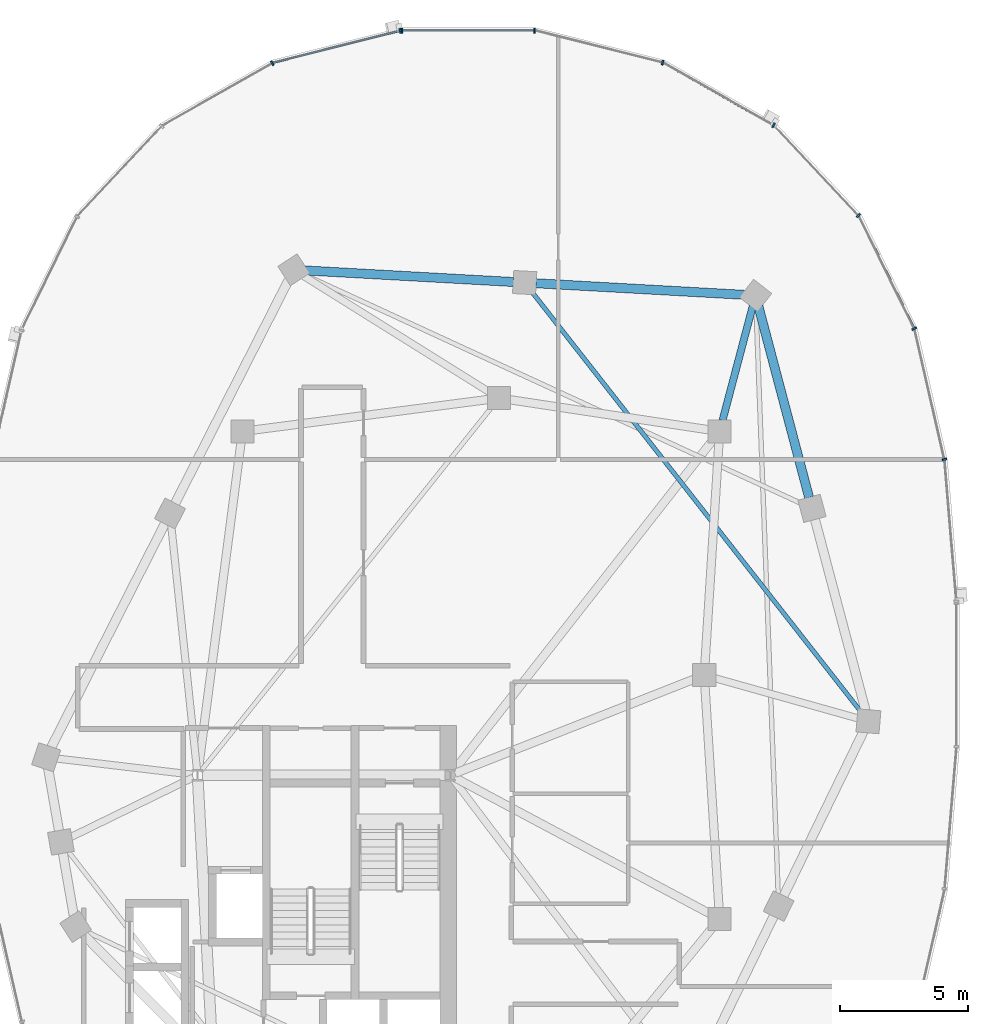
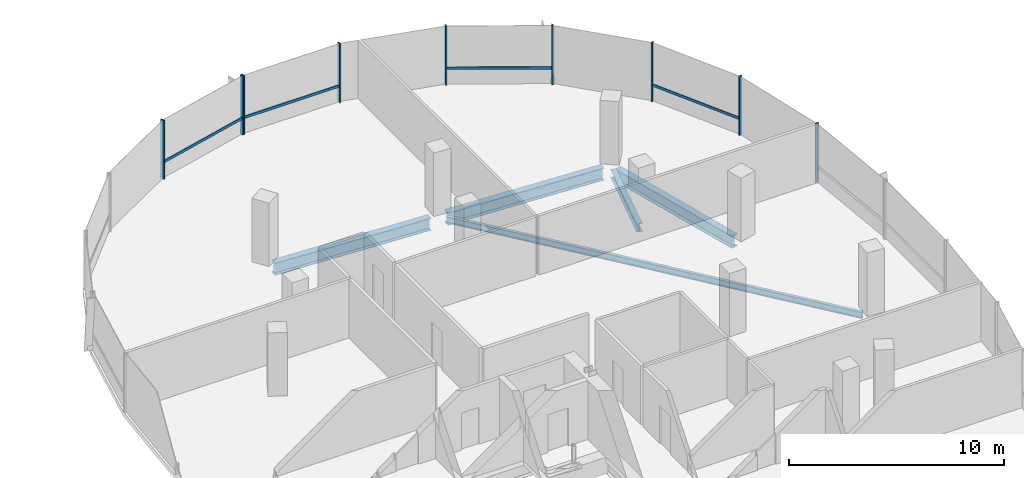
# One storey, part 12 of 25: 13 members, 5 beams, 2 elements without a shape of their own.
"""IFC4 building model written with IfcOpenShell, lengths in metres."""

from ifc_helpers import new_model, si_unit, direction, frame, origin, origin_2d, place, context, subcontext, project, spatial, rectangle, i_section, extrude, material, material_profile, profile_set, type_object, element, aggregate, save


model = new_model("IFC4")

# Units and contexts
model_context = context("Model", 3, precision=1e-05, world=origin(), true_north=direction((0.0, 1.0)))
body_context = subcontext(model_context, "Body", "Model", "MODEL_VIEW")
ifc_project = project(units=[si_unit("LENGTHUNIT", "METRE"), si_unit("AREAUNIT", "SQUARE_METRE"), si_unit("VOLUMEUNIT", "CUBIC_METRE"), si_unit("PLANEANGLEUNIT", "RADIAN"), si_unit("MASSUNIT", "GRAM", prefix="KILO"), si_unit("THERMODYNAMICTEMPERATUREUNIT", "KELVIN"), si_unit("POWERUNIT", "WATT")], contexts=[model_context])

# Site, building, storey
site_placement = place(None, origin())
site = spatial("IfcSite", under=ifc_project, at=site_placement, CompositionType="ELEMENT")
building_placement = place(site_placement, origin())
building = spatial("IfcBuilding", under=site, at=building_placement, Name="Cundina Bronze Exchange", CompositionType="ELEMENT")
storey_placement = place(building_placement, frame((0.0, 0.0, 209.800048828125)))
storey = spatial("IfcBuildingStorey", under=building, at=storey_placement, Name="L55", CompositionType="ELEMENT", Elevation=209.800048828125)

# Beams
ifc_material_1 = material(Name="Steel ASTM A992 Grade 50", Category="steel")
ifc_material_profile_1 = material_profile(ifc_material_1, i_section(OverallWidth=0.280029296875, OverallDepth=0.462890625, WebThickness=0.0107421875, FlangeThickness=0.017333984375, FilletRadius=0.011962890625, at=origin_2d()), Name="W18X76", Category="steel")
ifc_profile_set_1 = profile_set([ifc_material_profile_1], Name="Steel ASTM A992 Grade 50")
beam_type_1 = type_object("IfcBeamType", Name="BM-FLR-W18A", PredefinedType="BEAM", material=ifc_profile_set_1)
beam_1_placement = place(storey_placement, frame((41.911865234375, 9.923583984375, -0.491455078125), z_axis=(0.255398602339, 0.96683584642, 0.0), x_axis=(-0.96683584642, 0.255398602339, 0.0)))
element("IfcBeam", 1, at=beam_1_placement, inside=storey, type_object=beam_type_1, Name="L55 Leg E Chordal Floor Beam 10", PredefinedType="BEAM", context=body_context, shape_type="SweptSolid", body=[
    extrude(i_section(OverallWidth=0.280029296875, OverallDepth=0.462890625, WebThickness=0.0107421875, FlangeThickness=0.017333984375, FilletRadius=0.011962890625, at=origin_2d()), origin(), (0.0, 0.0, 1.0), 4.605712890625),
])
ifc_material_profile_2 = material_profile(ifc_material_1, i_section(OverallWidth=0.172119140625, OverallDepth=0.35791015625, WebThickness=0.0078125, FlangeThickness=0.01318359375, FilletRadius=0.010009765625, at=origin_2d()), Name="W14X38", Category="steel")
ifc_profile_set_2 = profile_set([ifc_material_profile_2], Name="Steel ASTM A992 Grade 50")
beam_type_2 = type_object("IfcBeamType", Name="BM-JST-W14", PredefinedType="JOIST", material=ifc_profile_set_2)
beam_2_placement = place(storey_placement, frame((47.329833984375, -1.455078125, -0.43896484375), z_axis=(-0.616810493522, 0.787111691618, 0.0), x_axis=(-0.787111691618, -0.616810493522, 0.0)))
element("IfcBeam", 2, at=beam_2_placement, inside=storey, type_object=beam_type_2, Name="L55 Leg E Lobe Floor Joist 08-11", PredefinedType="JOIST", context=body_context, shape_type="SweptSolid", body=[
    extrude(i_section(OverallWidth=0.172119140625, OverallDepth=0.35791015625, WebThickness=0.0078125, FlangeThickness=0.01318359375, FilletRadius=0.010009765625, at=origin_2d()), origin(), (0.0, 0.0, 1.0), 20.8486328125),
])
ifc_material_profile_3 = material_profile(ifc_material_1, i_section(OverallWidth=0.35498046875, OverallDepth=0.695068359375, WebThickness=0.015380859375, FlangeThickness=0.02490234375, FilletRadius=0.01806640625, at=origin_2d()), Name="W27X146", Category="steel")
ifc_profile_set_3 = profile_set([ifc_material_profile_3], Name="Steel ASTM A992 Grade 50")
beam_type_3 = type_object("IfcBeamType", Name="BM-RING-W27", PredefinedType="USERDEFINED", material=ifc_profile_set_3)
beam_3_placement = place(storey_placement, frame((45.287841796875, 6.92333984375, -0.607666015625), z_axis=(-0.256211934474, 0.966620631185, 0.0), x_axis=(-0.966620631185, -0.256211934474, 0.0)))
element("IfcBeam", 3, at=beam_3_placement, inside=storey, type_object=beam_type_3, Name="L55 E Perimeter Ring Girder 09", ObjectType="GIRDER", PredefinedType="USERDEFINED", context=body_context, shape_type="SweptSolid", body=[
    extrude(i_section(OverallWidth=0.35498046875, OverallDepth=0.695068359375, WebThickness=0.015380859375, FlangeThickness=0.02490234375, FilletRadius=0.01806640625, at=origin_2d()), origin(), (0.0, 0.0, 1.0), 7.710693359375),
])
for number, where, z_axis, x_axis, name in (
    (4, (42.7626953125, 14.82421875, -0.607666015625), (-0.998460353205, 0.055470019623, 0.0), (-0.055470019623, -0.998460353205, 0.0), "L55 E Perimeter Ring Girder 10"),
    (5, (33.7626953125, 15.32421875, -0.607666015625), (-0.998460353205, 0.055470019623, 0.0), (-0.055470019623, -0.998460353205, 0.0), "L55 E Perimeter Ring Girder 11"),
):
    element("IfcBeam", number, at=place(storey_placement, frame(where, z_axis=z_axis, x_axis=x_axis)), inside=storey, type_object=beam_type_3, Name=name, ObjectType="GIRDER", PredefinedType="USERDEFINED", context=body_context, shape_type="SweptSolid", body=[
        extrude(i_section(OverallWidth=0.35498046875, OverallDepth=0.695068359375, WebThickness=0.015380859375, FlangeThickness=0.02490234375, FilletRadius=0.01806640625, at=origin_2d()), origin(), (0.0, 0.0, 1.0), 8.137939453125),
    ])

# Curtain wall, members
ifc_material_2 = material(Name="Anodised Bronze Aluminium 6063-T6", Category="aluminium")
curtain_wall_type = type_object("IfcCurtainWallType", Name="CWS-UPP-OFF", PredefinedType="NOTDEFINED", material=ifc_material_2)
curtain_wall_1_placement = place(storey_placement, origin())
curtain_wall_1 = element("IfcCurtainWall", 6, at=curtain_wall_1_placement, inside=storey, type_object=curtain_wall_type, Name="L55 CW-05 Curtain Wall Run CWR-L55-E1", PredefinedType="NOTDEFINED")
ifc_material_profile_4 = material_profile(ifc_material_2, rectangle(XDim=0.070068359375, YDim=0.18994140625, at=origin_2d()), Name="AL70X190", Category="aluminium")
ifc_profile_set_4 = profile_set([ifc_material_profile_4], Name="Anodised Bronze Aluminium 6063-T6")
member_type_1 = type_object("IfcMemberType", Name="CWM-MUL-190", PredefinedType="MULLION", material=ifc_profile_set_4)
member_1_placement = place(storey_placement, frame((50.56005859375, 8.4111328125, 0.0), z_axis=(0.0, 0.0, 1.0), x_axis=(-0.223250116011, 0.974761194191, 0.0)))
member_1 = element("IfcMember", 7, at=member_1_placement, type_object=member_type_1, Name="CW-05 Mullion 2", PredefinedType="MULLION", context=body_context, shape_type="SweptSolid", body=[
    extrude(rectangle(XDim=0.070068359375, YDim=0.18994140625, at=origin_2d()), origin(), (0.0, 0.0, 1.0), 3.33984375),
])
member_2_placement = place(storey_placement, frame((49.38427734375, 13.50732421875, 0.0), z_axis=(0.0, 0.0, 1.0), x_axis=(-0.440566004113, 0.897720221461, 0.0)))
member_2 = element("IfcMember", 8, at=member_2_placement, type_object=member_type_1, Name="CW-05 Mullion 3", PredefinedType="MULLION", context=body_context, shape_type="SweptSolid", body=[
    extrude(rectangle(XDim=0.070068359375, YDim=0.18994140625, at=origin_2d()), origin(), (0.0, 0.0, 1.0), 3.33984375),
])
member_3_placement = place(storey_placement, frame((47.209716796875, 17.91796875, 0.0), z_axis=(0.0, 0.0, 1.0), x_axis=(-0.684292606175, 0.729207535023, 0.0)))
member_3 = element("IfcMember", 9, at=member_3_placement, type_object=member_type_1, Name="CW-05 Mullion 4", PredefinedType="MULLION", context=body_context, shape_type="SweptSolid", body=[
    extrude(rectangle(XDim=0.070068359375, YDim=0.18994140625, at=origin_2d()), origin(), (0.0, 0.0, 1.0), 3.33984375),
])
member_4_placement = place(storey_placement, frame((43.899658203125, 21.43115234375, 0.0), z_axis=(0.0, 0.0, 1.0), x_axis=(-0.86958112538, 0.493790103568, 0.0)))
member_4 = element("IfcMember", 10, at=member_4_placement, type_object=member_type_1, Name="CW-05 Mullion 5", PredefinedType="MULLION", context=body_context, shape_type="SweptSolid", body=[
    extrude(rectangle(XDim=0.070068359375, YDim=0.18994140625, at=origin_2d()), origin(), (0.0, 0.0, 1.0), 3.33984375),
])
member_5_placement = place(storey_placement, frame((39.577392578125, 23.87548828125, 0.0), z_axis=(0.0, 0.0, 1.0), x_axis=(-0.969744325821, 0.244122802168, 0.0)))
member_5 = element("IfcMember", 11, at=member_5_placement, type_object=member_type_1, Name="CW-05 Mullion 6", PredefinedType="MULLION", context=body_context, shape_type="SweptSolid", body=[
    extrude(rectangle(XDim=0.070068359375, YDim=0.18994140625, at=origin_2d()), origin(), (0.0, 0.0, 1.0), 3.33984375),
])
member_6_placement = place(storey_placement, frame((34.580078125, 25.125, 0.0), z_axis=(0.0, 0.0, 1.0), x_axis=(-1.0, 0.0, 0.0)))
member_6 = element("IfcMember", 12, at=member_6_placement, type_object=member_type_1, Name="CW-05 Mullion 7", PredefinedType="MULLION", context=body_context, shape_type="SweptSolid", body=[
    extrude(rectangle(XDim=0.070068359375, YDim=0.18994140625, at=origin_2d()), origin(), (0.0, 0.0, 1.0), 3.33984375),
])
member_7_placement = place(storey_placement, frame((29.419921875, 25.125, 0.0), z_axis=(0.0, 0.0, 1.0), x_axis=(-1.0, 0.0, 0.0)))
member_7 = element("IfcMember", 13, at=member_7_placement, type_object=member_type_1, Name="CW-05 End Mullion", PredefinedType="MULLION", context=body_context, shape_type="SweptSolid", body=[
    extrude(rectangle(XDim=0.070068359375, YDim=0.18994140625, at=origin_2d()), origin(), (0.0, 0.0, 1.0), 3.33984375),
])

curtain_wall_2_placement = place(storey_placement, origin())
curtain_wall_2 = element("IfcCurtainWall", 14, at=curtain_wall_2_placement, inside=storey, type_object=curtain_wall_type, Name="L55 CW-05 Curtain Wall Run CWR-L55-E2", PredefinedType="NOTDEFINED")
member_8_placement = place(storey_placement, frame((29.3515625, 25.116455078125, 0.0), z_axis=(0.0, 0.0, 1.0), x_axis=(-0.969744325821, -0.244122802168, 0.0)))
member_8 = element("IfcMember", 15, at=member_8_placement, type_object=member_type_1, Name="CW-05 Mullion 1", PredefinedType="MULLION", context=body_context, shape_type="SweptSolid", body=[
    extrude(rectangle(XDim=0.070068359375, YDim=0.18994140625, at=origin_2d()), origin(), (0.0, 0.0, 1.0), 3.33984375),
])
member_9_placement = place(storey_placement, frame((24.361083984375, 23.850830078125, 0.0), z_axis=(0.0, 0.0, 1.0), x_axis=(-0.86958112538, -0.493790103568, 0.0)))
member_9 = element("IfcMember", 16, at=member_9_placement, type_object=member_type_1, Name="CW-05 Mullion 2", PredefinedType="MULLION", context=body_context, shape_type="SweptSolid", body=[
    extrude(rectangle(XDim=0.070068359375, YDim=0.18994140625, at=origin_2d()), origin(), (0.0, 0.0, 1.0), 3.33984375),
])

# Member
ifc_material_profile_5 = material_profile(ifc_material_2, rectangle(XDim=0.06494140625, YDim=0.14990234375, at=origin_2d()), Name="AL65X150", Category="aluminium")
ifc_profile_set_5 = profile_set([ifc_material_profile_5], Name="Anodised Bronze Aluminium 6063-T6")
member_type_2 = type_object("IfcMemberType", Name="CWM-TRN-150", PredefinedType="USERDEFINED", material=ifc_profile_set_5)
member_10_placement = place(storey_placement, frame((49.3671875, 13.5419921875, 0.919921875), z_axis=(-0.440483110889, 0.897760897467, 0.0), x_axis=(-0.897760897467, -0.440483110889, 0.0)))
member_10 = element("IfcMember", 17, at=member_10_placement, type_object=member_type_2, Name="CW-05 Spandrel Transom 3", ObjectType="TRANSOM", PredefinedType="USERDEFINED", context=body_context, shape_type="SweptSolid", body=[
    extrude(rectangle(XDim=0.06494140625, YDim=0.14990234375, at=origin_2d()), origin(), (0.0, 0.0, 1.0), 4.855224609375),
])

member_11_placement = place(storey_placement, frame((43.8662109375, 21.4501953125, 0.919921875), z_axis=(-0.869573748083, 0.493803095013, 0.0), x_axis=(-0.493803095013, -0.869573748083, 0.0)))
member_11 = element("IfcMember", 18, at=member_11_placement, type_object=member_type_2, Name="CW-05 Spandrel Transom 5", ObjectType="TRANSOM", PredefinedType="USERDEFINED", context=body_context, shape_type="SweptSolid", body=[
    extrude(rectangle(XDim=0.06494140625, YDim=0.14990234375, at=origin_2d()), origin(), (0.0, 0.0, 1.0), 4.900146484375),
])

member_12_placement = place(storey_placement, frame((34.54150390625, 25.125, 0.919921875), z_axis=(-1.0, 0.0, 0.0), x_axis=(0.0, -1.0, 0.0)))
member_12 = element("IfcMember", 19, at=member_12_placement, type_object=member_type_2, Name="CW-05 Spandrel Transom 7", ObjectType="TRANSOM", PredefinedType="USERDEFINED", context=body_context, shape_type="SweptSolid", body=[
    extrude(rectangle(XDim=0.06494140625, YDim=0.14990234375, at=origin_2d()), origin(), (0.0, 0.0, 1.0), 5.0830078125),
])

aggregate(curtain_wall_1, [member_1, member_2, member_10, member_3, member_4, member_11, member_5, member_6, member_7, member_12])

member_13_placement = place(storey_placement, frame((29.314208984375, 25.107177734375, 0.919921875), z_axis=(-0.969725738797, -0.244196624699, 0.0), x_axis=(0.244196624699, -0.969725738797, 0.0)))
member_13 = element("IfcMember", 20, at=member_13_placement, type_object=member_type_2, Name="CW-05 Spandrel Transom 1", ObjectType="TRANSOM", PredefinedType="USERDEFINED", context=body_context, shape_type="SweptSolid", body=[
    extrude(rectangle(XDim=0.06494140625, YDim=0.14990234375, at=origin_2d()), origin(), (0.0, 0.0, 1.0), 5.082763671875),
])

aggregate(curtain_wall_2, [member_8, member_13, member_9])

save(model, "model.ifc")
